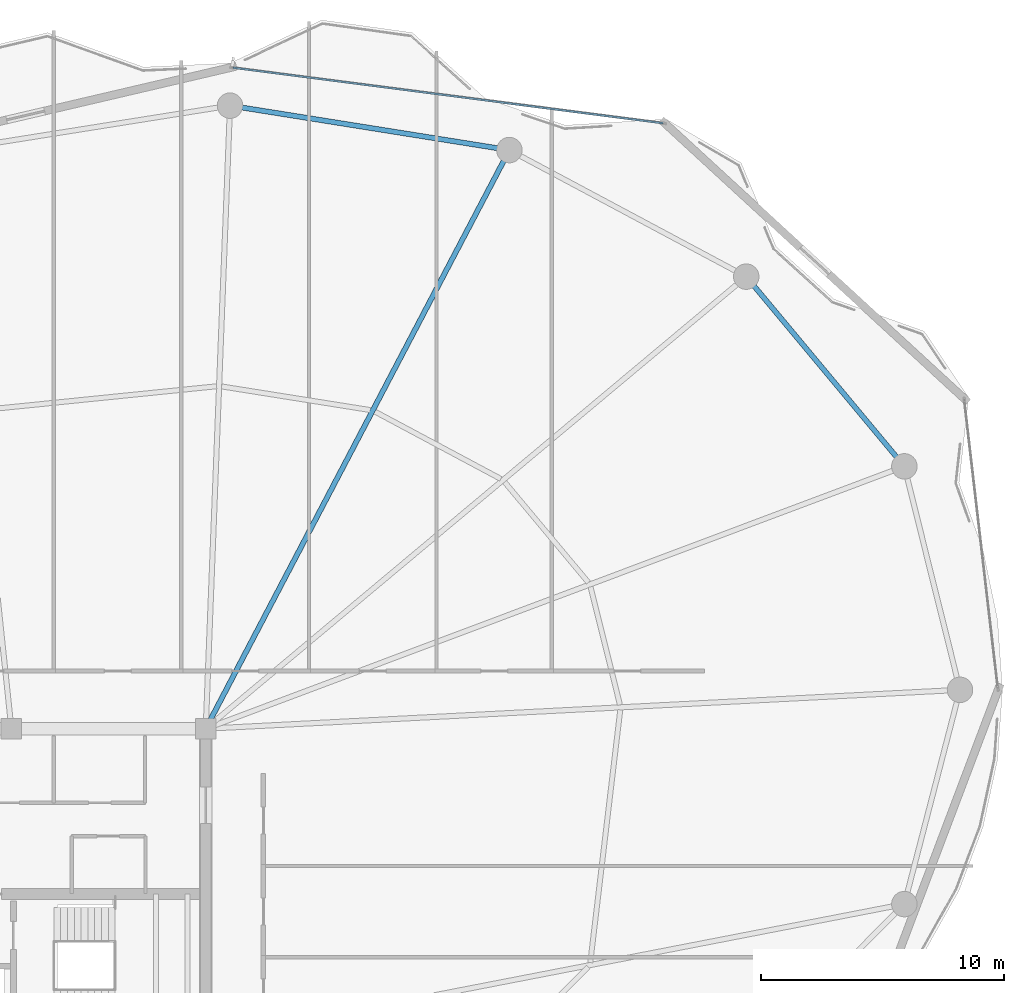
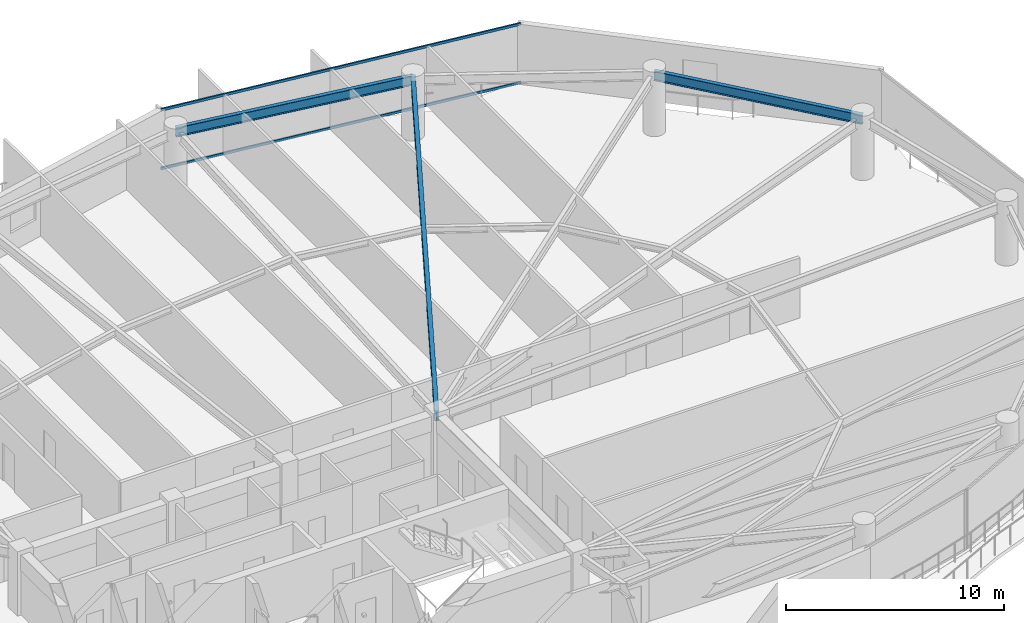
# One storey, part 21 of 31: 3 beams, 2 members, 1 element without a shape of its own.
"""IFC4 building model written with IfcOpenShell, lengths in metres."""

from ifc_helpers import new_model, si_unit, direction, frame, origin, origin_2d, place, context, subcontext, project, spatial, hollow_rectangle, i_section, extrude, material, layer, layer_set, material_profile, profile_set, type_object, element, aggregate, save


model = new_model("IFC4")

# Units and contexts
model_context = context("Model", 3, precision=1e-05, world=origin(), true_north=direction((0.0, 1.0)))
body_context = subcontext(model_context, "Body", "Model", "MODEL_VIEW")
ifc_project = project(units=[si_unit("LENGTHUNIT", "METRE"), si_unit("AREAUNIT", "SQUARE_METRE"), si_unit("VOLUMEUNIT", "CUBIC_METRE"), si_unit("PLANEANGLEUNIT", "RADIAN"), si_unit("MASSUNIT", "GRAM", prefix="KILO")], contexts=[model_context])

# Site, building, storey
site_placement = place(None, origin())
site = spatial("IfcSite", under=ifc_project, at=site_placement, CompositionType="ELEMENT")
building_placement = place(site_placement, origin())
building = spatial("IfcBuilding", under=site, at=building_placement, Name="Kazevale Care Tower and Concert Hall", CompositionType="ELEMENT")
storey_placement = place(building_placement, frame((0.0, 0.0, 235.199951171875)))
storey = spatial("IfcBuildingStorey", under=building, at=storey_placement, Name="L62", CompositionType="ELEMENT", Elevation=235.199951171875)

# Curtain wall, members
ifc_material_1 = material(Name="Aluminium 6063-T6 and Low-E Glass", Category="aluminium")
ifc_layer = layer(ifc_material_1, 0.179931640625)
ifc_layer_set = layer_set([ifc_layer], Name="Aluminium 6063-T6 and Low-E Glass")
curtain_wall_type = type_object("IfcCurtainWallType", Name="Waist & Upper Residential Curtain Wall CW-4", PredefinedType="NOTDEFINED", material=ifc_layer_set)
curtain_wall_placement = place(storey_placement, origin())
curtain_wall = element("IfcCurtainWall", 1, at=curtain_wall_placement, inside=storey, type_object=curtain_wall_type, Name="cw:L62:f16", PredefinedType="NOTDEFINED")
ifc_material_2 = material(Name="Aluminium 6063-T6", Category="aluminium")
ifc_material_profile_1 = material_profile(ifc_material_2, hollow_rectangle(XDim=0.080078125, YDim=0.139892578125, WallThickness=0.00390625, at=origin_2d()), Name="ALU80x140x4")
ifc_profile_set_1 = profile_set([ifc_material_profile_1], Name="Aluminium 6063-T6")
member_type = type_object("IfcMemberType", Name="CW-4 Transom ALU80x140x4", PredefinedType="USERDEFINED", material=ifc_profile_set_1)
member_1_placement = place(storey_placement, frame((45.123291015625, 63.61181640625, 0.0400390625), z_axis=(0.991760953967, -0.128102342625, 0.0), x_axis=(0.128102342625, 0.991760953967, 0.0)))
member_1 = element("IfcMember", 2, at=member_1_placement, type_object=member_type, Name="CW-4 transom 1.1", ObjectType="TRANSOM", PredefinedType="USERDEFINED", context=body_context, shape_type="SweptSolid", body=[
    extrude(hollow_rectangle(XDim=0.080078125, YDim=0.139892578125, WallThickness=0.00390625, at=origin_2d()), origin(), (0.0, 0.0, 1.0), 17.857666015625),
])
member_2_placement = place(storey_placement, frame((45.123291015625, 63.61181640625, 3.320068359375), z_axis=(0.991760953967, -0.128102342625, 0.0), x_axis=(0.128102342625, 0.991760953967, 0.0)))
member_2 = element("IfcMember", 3, at=member_2_placement, type_object=member_type, Name="CW-4 transom 1.2", ObjectType="TRANSOM", PredefinedType="USERDEFINED", context=body_context, shape_type="SweptSolid", body=[
    extrude(hollow_rectangle(XDim=0.080078125, YDim=0.139892578125, WallThickness=0.00390625, at=origin_2d()), origin(), (0.0, 0.0, 1.0), 17.857666015625),
])
aggregate(curtain_wall, [member_1, member_2])

# Beams
ifc_material_3 = material(Name="Steel ASTM A572 Gr 50", Category="steel")
ifc_material_profile_2 = material_profile(ifc_material_3, i_section(OverallWidth=0.2119140625, OverallDepth=0.5439453125, WebThickness=0.01318359375, FlangeThickness=0.021240234375, at=origin_2d()), Name="W530x123")
ifc_profile_set_2 = profile_set([ifc_material_profile_2], Name="Steel ASTM A572 Gr 50")
beam_type_1 = type_object("IfcBeamType", Name="Radial Floor Girder W530x123", PredefinedType="BEAM", material=ifc_profile_set_2)
beam_1_placement = place(storey_placement, frame((44.0, 36.39990234375, 3.088134765625), z_axis=(0.464672566396, 0.885482583702, 0.0), x_axis=(-0.885482583702, 0.464672566396, 0.0)))
element("IfcBeam", 4, at=beam_1_placement, inside=storey, type_object=beam_type_1, Name="beam:L62:rad:04", PredefinedType="BEAM", context=body_context, shape_type="SweptSolid", body=[
    extrude(i_section(OverallWidth=0.2119140625, OverallDepth=0.5439453125, WebThickness=0.01318359375, FlangeThickness=0.021240234375, at=origin_2d()), origin(), (0.0, 0.0, 1.0), 26.900634765625),
])
ifc_material_profile_3 = material_profile(ifc_material_3, i_section(OverallWidth=0.208984375, OverallDepth=0.532958984375, WebThickness=0.01025390625, FlangeThickness=0.015625, at=origin_2d()), Name="W530x92")
ifc_profile_set_3 = profile_set([ifc_material_profile_3], Name="Steel ASTM A572 Gr 50")
beam_type_2 = type_object("IfcBeamType", Name="Upper Ring Beam W530x92", PredefinedType="BEAM", material=ifc_profile_set_3)
beam_2_placement = place(storey_placement, frame((72.760009765625, 47.199951171875, 3.093505859375), z_axis=(-0.640278868102, 0.768142546056, 0.0), x_axis=(-0.768142546056, -0.640278868102, 0.0)))
element("IfcBeam", 5, at=beam_2_placement, inside=storey, type_object=beam_type_2, Name="beam:L62:ring:02", PredefinedType="BEAM", context=body_context, shape_type="SweptSolid", body=[
    extrude(i_section(OverallWidth=0.208984375, OverallDepth=0.532958984375, WebThickness=0.01025390625, FlangeThickness=0.015625, at=origin_2d()), origin(), (0.0, 0.0, 1.0), 10.16748046875),
])
beam_3_placement = place(storey_placement, frame((56.5, 60.219970703125, 3.093505859375), z_axis=(-0.987573207584, 0.15715966296, 0.0), x_axis=(-0.15715966296, -0.987573207584, 0.0)))
element("IfcBeam", 6, at=beam_3_placement, inside=storey, type_object=beam_type_2, Name="beam:L62:ring:04", PredefinedType="BEAM", context=body_context, shape_type="SweptSolid", body=[
    extrude(i_section(OverallWidth=0.208984375, OverallDepth=0.532958984375, WebThickness=0.01025390625, FlangeThickness=0.015625, at=origin_2d()), origin(), (0.0, 0.0, 1.0), 11.644775390625),
])

save(model, "model.ifc")
